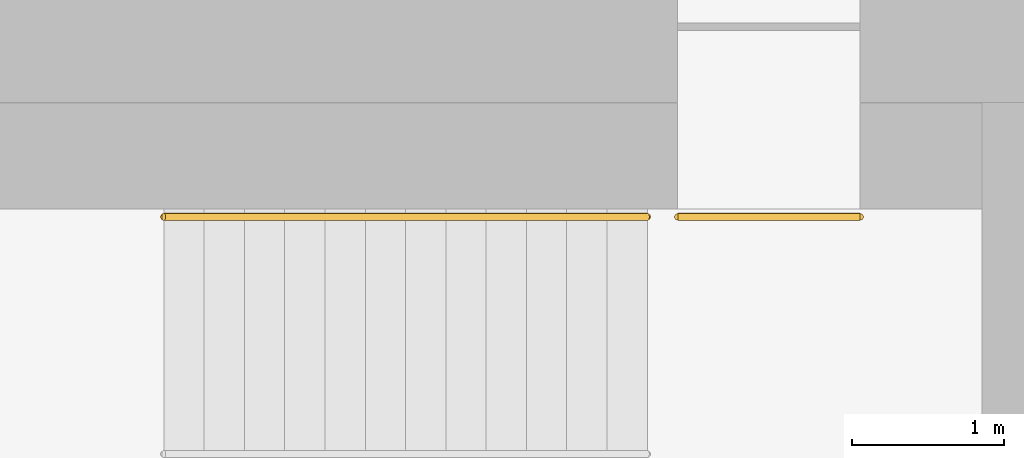
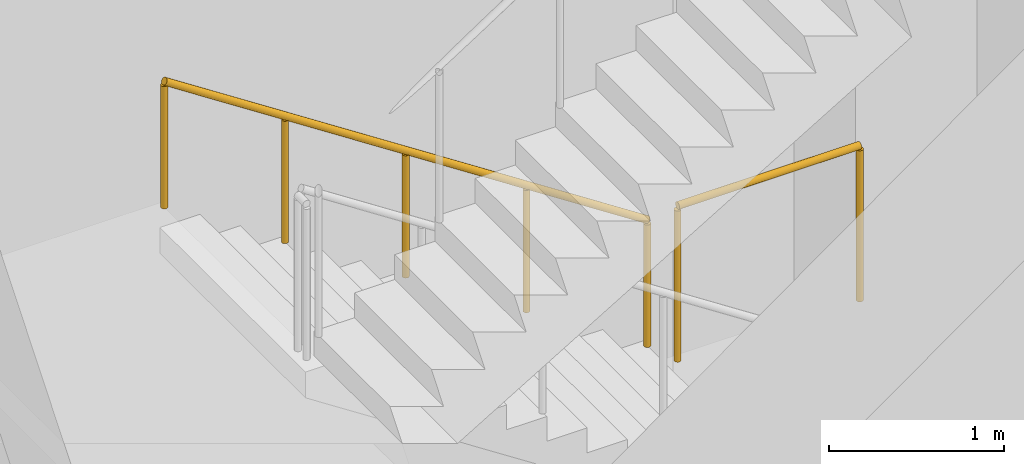
# One storey, part 19 of 19: 2 railings.
"""IFC4 building model written with IfcOpenShell, lengths in metres."""

from ifc_helpers import new_model, si_unit, direction, frame, origin, origin_2d, place, context, subcontext, project, spatial, circle, extrude, material, type_object, element, save


model = new_model("IFC4")

# Units and contexts
model_context = context("Model", 3, precision=1e-05, world=origin(), true_north=direction((0.0, 1.0)))
body_context = subcontext(model_context, "Body", "Model", "MODEL_VIEW")
ifc_project = project(units=[si_unit("LENGTHUNIT", "METRE"), si_unit("AREAUNIT", "SQUARE_METRE"), si_unit("VOLUMEUNIT", "CUBIC_METRE"), si_unit("PLANEANGLEUNIT", "RADIAN"), si_unit("MASSUNIT", "GRAM", prefix="KILO")], contexts=[model_context])

# Site, building, storey
site_placement = place(None, origin())
site = spatial("IfcSite", under=ifc_project, at=site_placement, CompositionType="ELEMENT")
building_placement = place(site_placement, origin())
building = spatial("IfcBuilding", under=site, at=building_placement, Name="Vermilion Reach Broadcast Tower", CompositionType="ELEMENT")
storey_placement = place(building_placement, frame((0.0, 0.0, 8.0)))
storey = spatial("IfcBuildingStorey", under=building, at=storey_placement, Name="L01", CompositionType="ELEMENT", Elevation=8.0)

# Railings
ifc_material_1 = material(Name="Stainless steel", Category="steel")
railing_type_1 = type_object("IfcRailingType", Name="Stair guard 1100", PredefinedType="GUARDRAIL", material=ifc_material_1)
railing_1_placement = place(storey_placement, frame((-0.800048828125, 7.25, 4.5)))
element("IfcRailing", 1, at=railing_1_placement, inside=storey, type_object=railing_type_1, Name="L01 ST2 doorway guard", PredefinedType="GUARDRAIL", context=body_context, shape_type="SweptSolid", body=[
    extrude(circle(Radius=0.02392578125, at=origin_2d()), frame((0.0, 0.0, 1.076171875), z_axis=(1.0, 0.0, 0.0), x_axis=(0.0, 1.0, 0.0)), (0.0, 0.0, 1.0), 1.199951171875),
    extrude(circle(Radius=0.02099609375, at=origin_2d()), origin(), (0.0, 0.0, 1.0), 1.052001953125),
    extrude(circle(Radius=0.02099609375, at=origin_2d()), frame((1.199951171875, 0.0, 0.0)), (0.0, 0.0, 1.0), 1.052001953125),
])
ifc_material_2 = material(Name="Stainless steel", Category="steel")
railing_type_2 = type_object("IfcRailingType", Name="Stair handrail", PredefinedType="HANDRAIL", material=ifc_material_2)
railing_2_placement = place(storey_placement, frame((-1.0, 7.25, 4.673095703125)))
element("IfcRailing", 2, at=railing_2_placement, inside=storey, type_object=railing_type_2, Name="L01 ST2 stair handrail 3", PredefinedType="HANDRAIL", context=body_context, shape_type="SweptSolid", body=[
    extrude(circle(Radius=0.02392578125, at=origin_2d()), frame((0.0, 0.0, 0.8759765625), z_axis=(-0.837244679093, 0.0, 0.546828444149), x_axis=(0.0, -1.0, 0.0)), (0.0, 0.0, 1.0), 3.798095703125),
    extrude(circle(Radius=0.02099609375, at=origin_2d()), origin(), (0.0, 0.0, 1.0), 0.851806640625),
    extrude(circle(Radius=0.02099609375, at=origin_2d()), frame((-0.794921875, 0.0, 0.519287109375)), (0.0, 0.0, 1.0), 0.851806640625),
    extrude(circle(Radius=0.02099609375, at=origin_2d()), frame((-1.58984375, 0.0, 1.03857421875)), (0.0, 0.0, 1.0), 0.851806640625),
    extrude(circle(Radius=0.02099609375, at=origin_2d()), frame((-2.385009765625, 0.0, 1.5576171875)), (0.0, 0.0, 1.0), 0.851806640625),
    extrude(circle(Radius=0.02099609375, at=origin_2d()), frame((-3.179931640625, 0.0, 2.076904296875)), (0.0, 0.0, 1.0), 0.851806640625),
])

save(model, "model.ifc")
